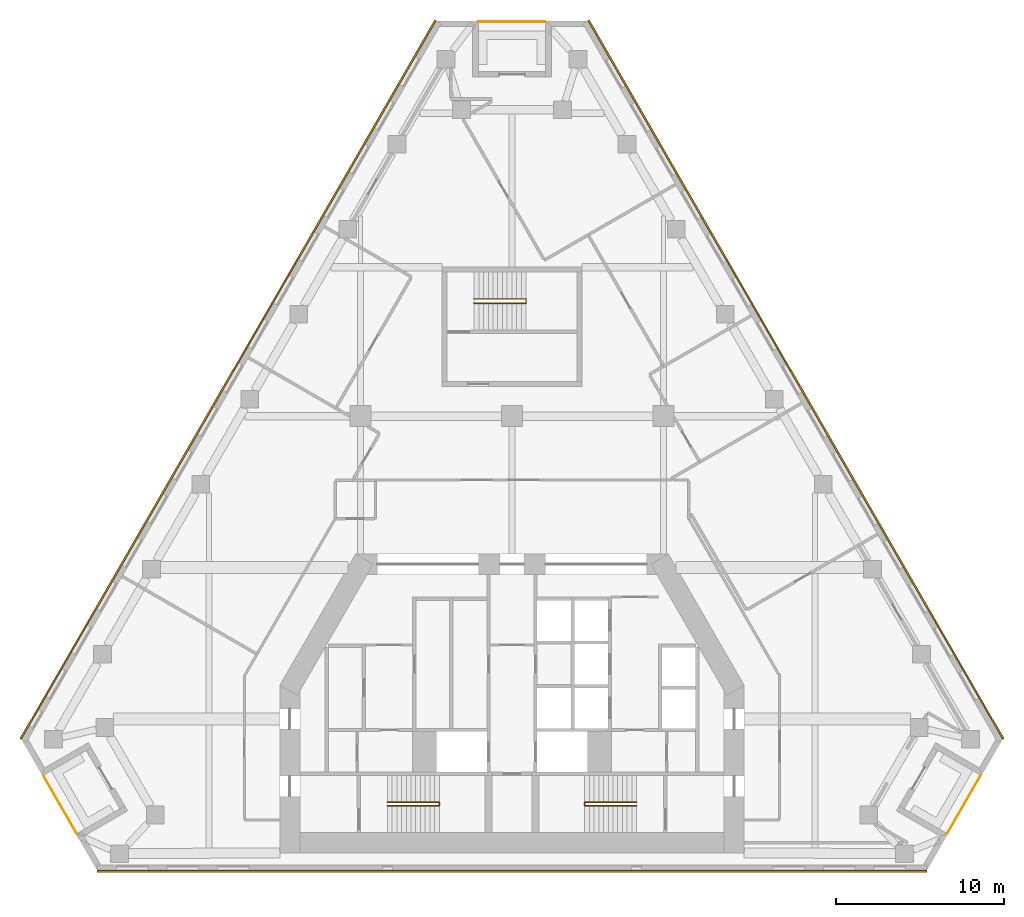
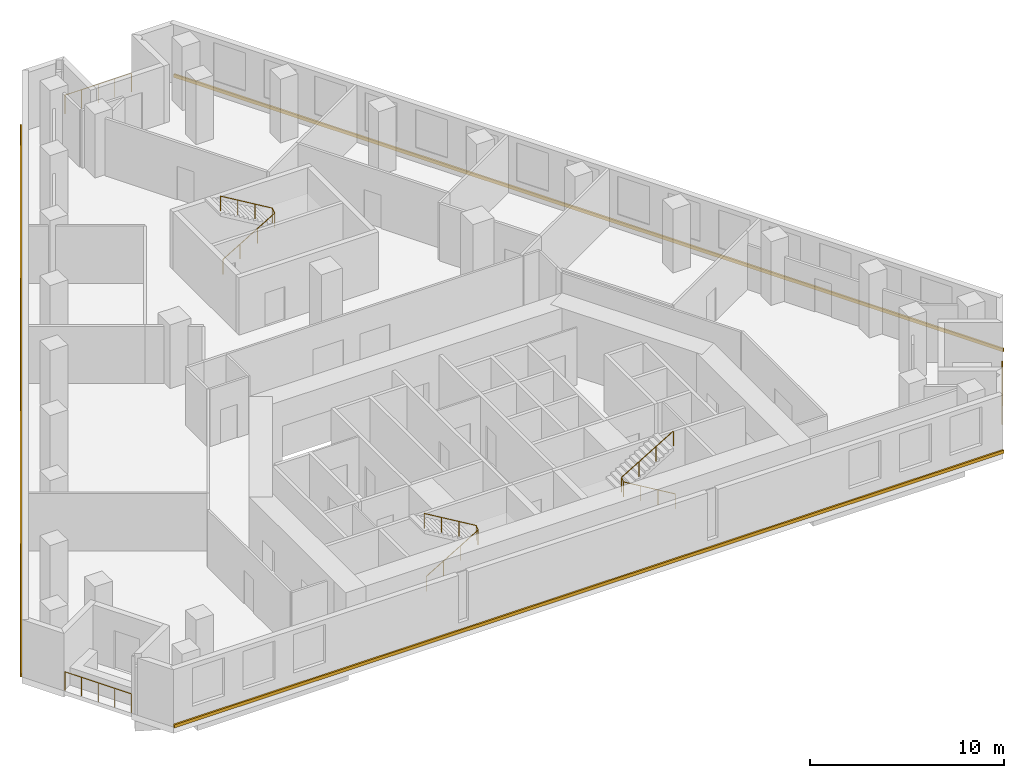
# One storey, part 9 of 9: 6 railings, 3 coverings.
"""IFC4 building model written with IfcOpenShell, lengths in metres."""

from ifc_helpers import new_model, si_unit, direction, frame, origin, origin_2d, place, context, subcontext, project, spatial, polyline, circle, outline, extrude, material, type_object, element, save


model = new_model("IFC4")

# Units and contexts
model_context = context("Model", 3, precision=1e-05, world=origin(), true_north=direction((0.0, 1.0)))
body_context = subcontext(model_context, "Body", "Model", "MODEL_VIEW")
ifc_project = project(units=[si_unit("LENGTHUNIT", "METRE"), si_unit("AREAUNIT", "SQUARE_METRE"), si_unit("VOLUMEUNIT", "CUBIC_METRE"), si_unit("PLANEANGLEUNIT", "RADIAN"), si_unit("MASSUNIT", "GRAM", prefix="KILO")], contexts=[model_context])

# Site, building, storey
site_placement = place(None, origin())
site = spatial("IfcSite", under=ifc_project, at=site_placement, CompositionType="ELEMENT")
building_placement = place(site_placement, origin())
building = spatial("IfcBuilding", under=site, at=building_placement, Name="Fogline Exchange Tower", CompositionType="ELEMENT")
storey_placement = place(building_placement, frame((0.0, 0.0, 142.89990234375)))
storey = spatial("IfcBuildingStorey", under=building, at=storey_placement, Name="L31", CompositionType="ELEMENT", Elevation=142.89990234375)

# Railings
ifc_material_1 = material(Name="Stainless steel 304", Category="steel")
railing_type_1 = type_object("IfcRailingType", Name="G1", PredefinedType="GUARDRAIL", material=ifc_material_1)
railing_1_placement = place(storey_placement, frame((-27.8447265625, 5.635986328125, 0.0)))
element("IfcRailing", 1, at=railing_1_placement, inside=storey, type_object=railing_type_1, Name="Balcony guard L31 SW", PredefinedType="GUARDRAIL", context=body_context, shape_type="SweptSolid", body=[
    extrude(circle(Radius=0.02392578125, at=origin_2d()), frame((0.0, 0.0, 1.17578125), z_axis=(0.500000102728, -0.866025344474, 0.0), x_axis=(0.866025344474, 0.500000102728, 0.0)), (0.0, 0.0, 1.0), 3.9580078125),
    extrude(circle(Radius=0.02099609375, at=origin_2d()), origin(), (0.0, 0.0, 1.0), 1.15185546875),
    extrude(circle(Radius=0.02099609375, at=origin_2d()), frame((0.49462890625, -0.85693359375, 0.0)), (0.0, 0.0, 1.0), 1.15185546875),
    extrude(circle(Radius=0.02099609375, at=origin_2d()), frame((0.989501953125, -1.7138671875, 0.0)), (0.0, 0.0, 1.0), 1.15185546875),
    extrude(circle(Radius=0.02099609375, at=origin_2d()), frame((1.484375, -2.57080078125, 0.0)), (0.0, 0.0, 1.0), 1.15185546875),
    extrude(circle(Radius=0.02099609375, at=origin_2d()), frame((1.97900390625, -3.427734375, 0.0)), (0.0, 0.0, 1.0), 1.15185546875),
])
railing_2_placement = place(storey_placement, frame((25.86572265625, 2.208251953125, 0.0)))
element("IfcRailing", 2, at=railing_2_placement, inside=storey, type_object=railing_type_1, Name="Balcony guard L31 SE", PredefinedType="GUARDRAIL", context=body_context, shape_type="SweptSolid", body=[
    extrude(circle(Radius=0.02392578125, at=origin_2d()), frame((0.0, 0.0, 1.17578125), z_axis=(0.500000102728, 0.866025344474, 0.0), x_axis=(-0.866025344474, 0.500000102728, 0.0)), (0.0, 0.0, 1.0), 3.9580078125),
    extrude(circle(Radius=0.02099609375, at=origin_2d()), origin(), (0.0, 0.0, 1.0), 1.15185546875),
    extrude(circle(Radius=0.02099609375, at=origin_2d()), frame((0.49462890625, 0.85693359375, 0.0)), (0.0, 0.0, 1.0), 1.15185546875),
    extrude(circle(Radius=0.02099609375, at=origin_2d()), frame((0.989501953125, 1.7138671875, 0.0)), (0.0, 0.0, 1.0), 1.15185546875),
    extrude(circle(Radius=0.02099609375, at=origin_2d()), frame((1.484375, 2.57080078125, 0.0)), (0.0, 0.0, 1.0), 1.15185546875),
    extrude(circle(Radius=0.02099609375, at=origin_2d()), frame((1.97900390625, 3.427734375, 0.0)), (0.0, 0.0, 1.0), 1.15185546875),
])
railing_3_placement = place(storey_placement, frame((1.97900390625, 50.436767578125, 0.0)))
element("IfcRailing", 3, at=railing_3_placement, inside=storey, type_object=railing_type_1, Name="Balcony guard L31 N", PredefinedType="GUARDRAIL", context=body_context, shape_type="SweptSolid", body=[
    extrude(circle(Radius=0.02392578125, at=origin_2d()), frame((0.0, 0.0, 1.17578125), z_axis=(-1.0, 0.0, 0.0), x_axis=(0.0, -1.0, 0.0)), (0.0, 0.0, 1.0), 3.9580078125),
    extrude(circle(Radius=0.02099609375, at=origin_2d()), origin(), (0.0, 0.0, 1.0), 1.15185546875),
    extrude(circle(Radius=0.02099609375, at=origin_2d()), frame((-0.989501953125, 0.0, 0.0)), (0.0, 0.0, 1.0), 1.15185546875),
    extrude(circle(Radius=0.02099609375, at=origin_2d()), frame((-1.97900390625, 0.0, 0.0)), (0.0, 0.0, 1.0), 1.15185546875),
    extrude(circle(Radius=0.02099609375, at=origin_2d()), frame((-2.968505859375, 0.0, 0.0)), (0.0, 0.0, 1.0), 1.15185546875),
    extrude(circle(Radius=0.02099609375, at=origin_2d()), frame((-3.9580078125, 0.0, 0.0)), (0.0, 0.0, 1.0), 1.15185546875),
])
ifc_material_2 = material(Name="Steel Q235B", Category="steel")
railing_type_2 = type_object("IfcRailingType", Name="RL-HR", PredefinedType="HANDRAIL", material=ifc_material_2)
railing_4_placement = place(storey_placement, frame((-7.39990234375, 3.85009765625, 0.166748046875)))
element("IfcRailing", 4, at=railing_4_placement, inside=storey, type_object=railing_type_2, Name="Handrail ST1", PredefinedType="HANDRAIL", context=body_context, shape_type="SweptSolid", body=[
    extrude(circle(Radius=0.02392578125, at=origin_2d()), frame((0.0, 0.0, 0.92578125), z_axis=(0.859290745958, 0.0, 0.51148745235), x_axis=(0.0, 1.0, 0.0)), (0.0, 0.0, 1.0), 3.584228515625),
    extrude(circle(Radius=0.02392578125, at=origin_2d()), frame((3.079833984375, 0.0, 2.75927734375), z_axis=(0.0, 0.767990643491, 0.640461061666), x_axis=(-1.0, 0.0, 0.0)), (0.0, 0.0, 1.0), 0.26025390625),
    extrude(circle(Radius=0.02392578125, at=origin_2d()), frame((3.079833984375, 0.199951171875, 2.92578125), z_axis=(-0.859290745958, 0.0, 0.51148745235), x_axis=(0.0, -1.0, 0.0)), (0.0, 0.0, 1.0), 3.584228515625),
    extrude(circle(Radius=0.02099609375, at=origin_2d()), origin(), (0.0, 0.0, 1.0), 0.90185546875),
    extrude(circle(Radius=0.02099609375, at=origin_2d()), frame((1.026611328125, 0.0, 0.611083984375)), (0.0, 0.0, 1.0), 0.90185546875),
    extrude(circle(Radius=0.02099609375, at=origin_2d()), frame((2.05322265625, 0.0, 1.22216796875)), (0.0, 0.0, 1.0), 0.90185546875),
    extrude(circle(Radius=0.02099609375, at=origin_2d()), frame((3.079833984375, 0.0, 1.833251953125)), (0.0, 0.0, 1.0), 0.90185546875),
    extrude(circle(Radius=0.02099609375, at=origin_2d()), frame((3.079833984375, 0.199951171875, 2.0)), (0.0, 0.0, 1.0), 0.90185546875),
    extrude(circle(Radius=0.02099609375, at=origin_2d()), frame((2.05322265625, 0.199951171875, 2.611083984375)), (0.0, 0.0, 1.0), 0.90185546875),
    extrude(circle(Radius=0.02099609375, at=origin_2d()), frame((1.026611328125, 0.199951171875, 3.22216796875)), (0.0, 0.0, 1.0), 0.90185546875),
    extrude(circle(Radius=0.02099609375, at=origin_2d()), frame((0.0, 0.199951171875, 3.833251953125)), (0.0, 0.0, 1.0), 0.90185546875),
])
railing_5_placement = place(storey_placement, frame((7.39990234375, 3.85009765625, 0.166748046875)))
element("IfcRailing", 5, at=railing_5_placement, inside=storey, type_object=railing_type_2, Name="Handrail ST2", PredefinedType="HANDRAIL", context=body_context, shape_type="SweptSolid", body=[
    extrude(circle(Radius=0.02392578125, at=origin_2d()), frame((0.0, 0.0, 0.92578125), z_axis=(-0.859290745958, 0.0, 0.51148745235), x_axis=(0.0, -1.0, 0.0)), (0.0, 0.0, 1.0), 3.584228515625),
    extrude(circle(Radius=0.02392578125, at=origin_2d()), frame((-3.079833984375, 0.0, 2.75927734375), z_axis=(0.0, 0.767990643491, 0.640461061666), x_axis=(-1.0, 0.0, 0.0)), (0.0, 0.0, 1.0), 0.26025390625),
    extrude(circle(Radius=0.02392578125, at=origin_2d()), frame((-3.079833984375, 0.199951171875, 2.92578125), z_axis=(0.859290745958, 0.0, 0.51148745235), x_axis=(0.0, 1.0, 0.0)), (0.0, 0.0, 1.0), 3.584228515625),
    extrude(circle(Radius=0.02099609375, at=origin_2d()), origin(), (0.0, 0.0, 1.0), 0.90185546875),
    extrude(circle(Radius=0.02099609375, at=origin_2d()), frame((-1.026611328125, 0.0, 0.611083984375)), (0.0, 0.0, 1.0), 0.90185546875),
    extrude(circle(Radius=0.02099609375, at=origin_2d()), frame((-2.05322265625, 0.0, 1.22216796875)), (0.0, 0.0, 1.0), 0.90185546875),
    extrude(circle(Radius=0.02099609375, at=origin_2d()), frame((-3.079833984375, 0.0, 1.833251953125)), (0.0, 0.0, 1.0), 0.90185546875),
    extrude(circle(Radius=0.02099609375, at=origin_2d()), frame((-3.079833984375, 0.199951171875, 2.0)), (0.0, 0.0, 1.0), 0.90185546875),
    extrude(circle(Radius=0.02099609375, at=origin_2d()), frame((-2.05322265625, 0.199951171875, 2.611083984375)), (0.0, 0.0, 1.0), 0.90185546875),
    extrude(circle(Radius=0.02099609375, at=origin_2d()), frame((-1.026611328125, 0.199951171875, 3.22216796875)), (0.0, 0.0, 1.0), 0.90185546875),
    extrude(circle(Radius=0.02099609375, at=origin_2d()), frame((0.0, 0.199951171875, 3.833251953125)), (0.0, 0.0, 1.0), 0.90185546875),
])
railing_6_placement = place(storey_placement, frame((-2.25, 33.70703125, 0.166748046875)))
element("IfcRailing", 6, at=railing_6_placement, inside=storey, type_object=railing_type_2, Name="Handrail ST3", PredefinedType="HANDRAIL", context=body_context, shape_type="SweptSolid", body=[
    extrude(circle(Radius=0.02392578125, at=origin_2d()), frame((0.0, 0.0, 0.92578125), z_axis=(0.859308565015, 0.0, 0.511457515432), x_axis=(0.0, 1.0, 0.0)), (0.0, 0.0, 1.0), 3.58447265625),
    extrude(circle(Radius=0.02392578125, at=origin_2d()), frame((3.080078125, 0.0, 2.75927734375), z_axis=(0.0, 0.831925284441, 0.554887665306), x_axis=(-1.0, 0.0, 0.0)), (0.0, 0.0, 1.0), 0.300537109375),
    extrude(circle(Radius=0.02392578125, at=origin_2d()), frame((3.080078125, 0.25, 2.92578125), z_axis=(-0.859308565015, 0.0, 0.511457515432), x_axis=(0.0, -1.0, 0.0)), (0.0, 0.0, 1.0), 3.58447265625),
    extrude(circle(Radius=0.02099609375, at=origin_2d()), origin(), (0.0, 0.0, 1.0), 0.90185546875),
    extrude(circle(Radius=0.02099609375, at=origin_2d()), frame((1.026611328125, 0.0, 0.611083984375)), (0.0, 0.0, 1.0), 0.90185546875),
    extrude(circle(Radius=0.02099609375, at=origin_2d()), frame((2.053466796875, 0.0, 1.22216796875)), (0.0, 0.0, 1.0), 0.90185546875),
    extrude(circle(Radius=0.02099609375, at=origin_2d()), frame((3.080078125, 0.0, 1.833251953125)), (0.0, 0.0, 1.0), 0.90185546875),
    extrude(circle(Radius=0.02099609375, at=origin_2d()), frame((3.080078125, 0.25, 2.0)), (0.0, 0.0, 1.0), 0.90185546875),
    extrude(circle(Radius=0.02099609375, at=origin_2d()), frame((2.053466796875, 0.25, 2.611083984375)), (0.0, 0.0, 1.0), 0.90185546875),
    extrude(circle(Radius=0.02099609375, at=origin_2d()), frame((1.026611328125, 0.25, 3.22216796875)), (0.0, 0.0, 1.0), 0.90185546875),
    extrude(circle(Radius=0.02099609375, at=origin_2d()), frame((0.0, 0.25, 3.833251953125)), (0.0, 0.0, 1.0), 0.90185546875),
])

# Coverings
ifc_material_3 = material(Name="Brick masonry", Category="masonry")
covering_type = type_object("IfcCoveringType", Name="SB1", PredefinedType="CLADDING", material=ifc_material_3)
covering_1_placement = place(storey_placement, origin())
element("IfcCovering", 7, at=covering_1_placement, inside=storey, type_object=covering_type, Name="Stringcourse band L31 S", PredefinedType="CLADDING", context=body_context, shape_type="SweptSolid", body=[
    extrude(outline(polyline([(-24.6484375, 0.0), (-24.6484375, -0.10009765625), (24.6484375, -0.10009765625), (24.6484375, 0.0), (-24.6484375, 0.0)])), origin(), (0.0, 0.0, 1.0), 0.2001953125),
])
covering_2_placement = place(storey_placement, origin())
element("IfcCovering", 8, at=covering_2_placement, inside=storey, type_object=covering_type, Name="Stringcourse band L31 E", PredefinedType="CLADDING", context=body_context, shape_type="SweptSolid", body=[
    extrude(outline(polyline([(29.1484375, 7.794189453125), (29.235107421875, 7.84423828125), (4.586669921875, 50.53662109375), (4.5, 50.48681640625), (29.1484375, 7.794189453125)])), origin(), (0.0, 0.0, 1.0), 0.2001953125),
])
covering_3_placement = place(storey_placement, origin())
element("IfcCovering", 9, at=covering_3_placement, inside=storey, type_object=covering_type, Name="Stringcourse band L31 W", PredefinedType="CLADDING", context=body_context, shape_type="SweptSolid", body=[
    extrude(outline(polyline([(-4.5, 50.48681640625), (-4.586669921875, 50.53662109375), (-29.235107421875, 7.84423828125), (-29.1484375, 7.794189453125), (-4.5, 50.48681640625)])), origin(), (0.0, 0.0, 1.0), 0.2001953125),
])

save(model, "model.ifc")
